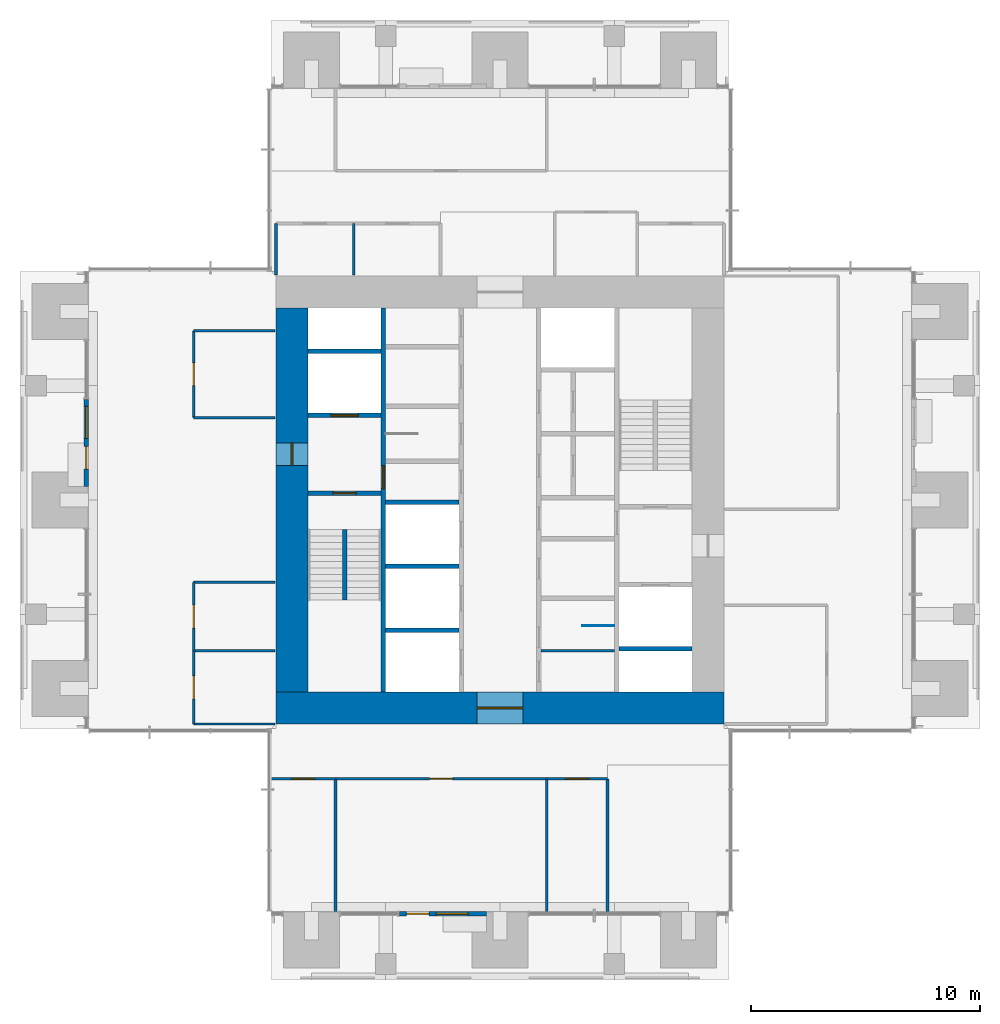
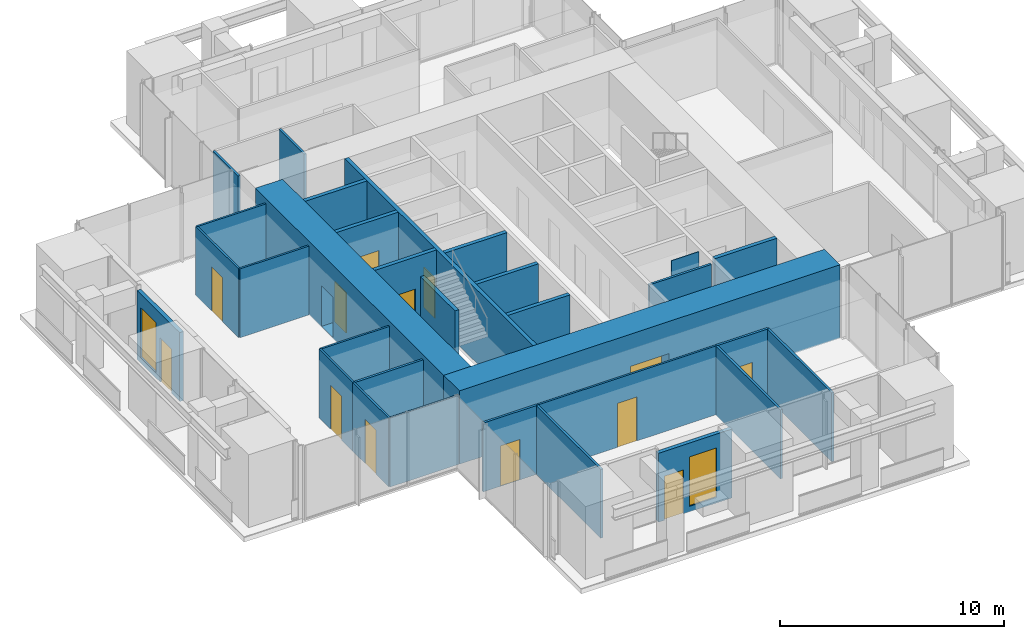
# One storey, part 12 of 17: 31 walls, 13 doors, 2 windows, 15 openings.
"""IFC4 building model written with IfcOpenShell, lengths in metres."""

from ifc_helpers import new_model, si_unit, direction, frame, frame_2d, origin, place, context, subcontext, project, spatial, rectangle, extrude, material, layer, layer_set, type_object, element, fill, save


model = new_model("IFC4")

# Units and contexts
model_context = context("Model", 3, precision=1e-05, world=origin(), true_north=direction((0.0, 1.0)))
body_context = subcontext(model_context, "Body", "Model", "MODEL_VIEW")
ifc_project = project(units=[si_unit("LENGTHUNIT", "METRE"), si_unit("AREAUNIT", "SQUARE_METRE"), si_unit("VOLUMEUNIT", "CUBIC_METRE"), si_unit("PLANEANGLEUNIT", "RADIAN"), si_unit("MASSUNIT", "GRAM", prefix="KILO")], contexts=[model_context])

# Site, building, storey
site_placement = place(None, origin())
site = spatial("IfcSite", under=ifc_project, at=site_placement, CompositionType="ELEMENT")
building_placement = place(site_placement, origin())
building = spatial("IfcBuilding", under=site, at=building_placement, Name="Svetlomir Tower", CompositionType="ELEMENT")
storey_placement = place(building_placement, frame((0.0, 0.0, 222.5)))
storey = spatial("IfcBuildingStorey", under=building, at=storey_placement, Name="L53", CompositionType="ELEMENT", Elevation=222.5)

# Wall, openings, door, window
ifc_material_1 = material(Name="Bronze anodised aluminium glazed screen", Category="aluminium")
ifc_layer_1 = layer(ifc_material_1, 0.199951171875)
ifc_layer_set_1 = layer_set([ifc_layer_1], Name="Bronze anodised aluminium glazed screen")
wall_type_1 = type_object("IfcWallType", Name="BALCONY SCREEN WALL 200", PredefinedType="USERDEFINED", material=ifc_layer_set_1)
wall_1_placement = place(storey_placement, frame((16.60009765625, 2.89990234375, 0.0), z_axis=(0.0, 0.0, 1.0), x_axis=(1.0, 0.0, 0.0)))
wall_1 = element("IfcWall", 1, at=wall_1_placement, inside=storey, type_object=wall_type_1, Name="Balcony screen S", ObjectType="GLAZED SCREEN", PredefinedType="USERDEFINED", context=body_context, shape_type="SweptSolid", body=[
    extrude(rectangle(XDim=3.7998046875, YDim=0.199951171875, at=frame_2d((1.89990234375, 0.0))), origin(), (0.0, 0.0, 1.0), 3.75),
])
opening_1_placement = place(wall_1_placement, frame((0.300048828125, 0.0, 0.0)))
opening_1 = element("IfcOpeningElement", 2, at=opening_1_placement, cuts=wall_1, Name="Opening BD", PredefinedType="OPENING", context=body_context, shape_type="SweptSolid", body=[
    extrude(rectangle(XDim=1.0, YDim=2.39990234375, at=frame_2d((0.5, 1.199951171875))), frame((0.0, 0.10986328125, 0.0), z_axis=(0.0, -1.0, 0.0), x_axis=(1.0, 0.0, 0.0)), (0.0, 0.0, 1.0), 0.219970703125),
])
opening_2_placement = place(wall_1_placement, frame((1.60009765625, 0.0, 0.300048828125)))
opening_2 = element("IfcOpeningElement", 3, at=opening_2_placement, cuts=wall_1, Name="Opening WS2", PredefinedType="OPENING", context=body_context, shape_type="SweptSolid", body=[
    extrude(rectangle(XDim=1.39990234375, YDim=2.699951171875, at=frame_2d((0.699951171875, 1.35009765625))), frame((0.0, 0.10986328125, 0.0), z_axis=(0.0, -1.0, 0.0), x_axis=(1.0, 0.0, 0.0)), (0.0, 0.0, 1.0), 0.219970703125),
])
ifc_material_2 = material(Name="Bronze anodised aluminium glazed door", Category="aluminium")
door_type_1 = type_object("IfcDoorType", Name="BALCONY DOOR BD 1000x2400", OperationType="SINGLE_SWING_LEFT", PredefinedType="DOOR", material=ifc_material_2)
door_1_placement = place(opening_1_placement, origin())
door_1 = element("IfcDoor", 4, at=door_1_placement, inside=storey, type_object=door_type_1, Name="Balcony screen S door", OperationType="SINGLE_SWING_LEFT", OverallHeight=2.39990234375, OverallWidth=1.0, PredefinedType="DOOR", context=body_context, shape_type="SweptSolid", body=[
    extrude(rectangle(XDim=1.0, YDim=2.39990234375, at=frame_2d((0.5, 1.199951171875))), frame((0.0, 0.02490234375, 0.0), z_axis=(0.0, -1.0, 0.0), x_axis=(1.0, 0.0, 0.0)), (0.0, 0.0, 1.0), 0.050048828125),
])
fill(opening_1, door_1)
ifc_material_3 = material(Name="Bronze anodised aluminium window", Category="aluminium")
window_type = type_object("IfcWindowType", Name="SCREEN WINDOW WS2 1400x2700", PartitioningType="SINGLE_PANEL", PredefinedType="WINDOW", material=ifc_material_3)
window_1_placement = place(opening_2_placement, origin())
window_1 = element("IfcWindow", 5, at=window_1_placement, inside=storey, type_object=window_type, Name="Balcony screen S window 1", OverallHeight=2.699951171875, OverallWidth=1.39990234375, PartitioningType="SINGLE_PANEL", PredefinedType="WINDOW", context=body_context, shape_type="SweptSolid", body=[
    extrude(rectangle(XDim=1.39990234375, YDim=2.699951171875, at=frame_2d((0.699951171875, 1.35009765625))), frame((0.0, 0.030029296875, 0.0), z_axis=(0.0, -1.0, 0.0), x_axis=(1.0, 0.0, 0.0)), (0.0, 0.0, 1.0), 0.06005859375),
])
fill(opening_2, window_1)

wall_2_placement = place(storey_placement, frame((2.89990234375, 25.39990234375, 0.0), z_axis=(0.0, 0.0, 1.0), x_axis=(0.0, -1.0, 0.0)))
wall_2 = element("IfcWall", 6, at=wall_2_placement, inside=storey, type_object=wall_type_1, Name="Balcony screen W", ObjectType="GLAZED SCREEN", PredefinedType="USERDEFINED", context=body_context, shape_type="SweptSolid", body=[
    extrude(rectangle(XDim=3.7998046875, YDim=0.199951171875, at=frame_2d((1.89990234375, 0.0))), origin(), (0.0, 0.0, 1.0), 3.75),
])
opening_3_placement = place(wall_2_placement, frame((2.050048828125, 0.0, 0.0)))
opening_3 = element("IfcOpeningElement", 7, at=opening_3_placement, cuts=wall_2, Name="Opening BD", PredefinedType="OPENING", context=body_context, shape_type="SweptSolid", body=[
    extrude(rectangle(XDim=1.0, YDim=2.39990234375, at=frame_2d((0.5, 1.199951171875))), frame((0.0, 0.10986328125, 0.0), z_axis=(0.0, -1.0, 0.0), x_axis=(1.0, 0.0, 0.0)), (0.0, 0.0, 1.0), 0.219970703125),
])
opening_4_placement = place(wall_2_placement, frame((0.300048828125, 0.0, 0.300048828125)))
opening_4 = element("IfcOpeningElement", 8, at=opening_4_placement, cuts=wall_2, Name="Opening WS2", PredefinedType="OPENING", context=body_context, shape_type="SweptSolid", body=[
    extrude(rectangle(XDim=1.39990234375, YDim=2.699951171875, at=frame_2d((0.699951171875, 1.35009765625))), frame((0.0, 0.10986328125, 0.0), z_axis=(0.0, -1.0, 0.0), x_axis=(1.0, 0.0, 0.0)), (0.0, 0.0, 1.0), 0.219970703125),
])
door_2_placement = place(opening_3_placement, origin())
door_2 = element("IfcDoor", 9, at=door_2_placement, inside=storey, type_object=door_type_1, Name="Balcony screen W door", OperationType="SINGLE_SWING_LEFT", OverallHeight=2.39990234375, OverallWidth=1.0, PredefinedType="DOOR", context=body_context, shape_type="SweptSolid", body=[
    extrude(rectangle(XDim=1.0, YDim=2.39990234375, at=frame_2d((0.5, 1.199951171875))), frame((0.0, 0.02490234375, 0.0), z_axis=(0.0, -1.0, 0.0), x_axis=(1.0, 0.0, 0.0)), (0.0, 0.0, 1.0), 0.050048828125),
])
fill(opening_3, door_2)
window_2_placement = place(opening_4_placement, origin())
window_2 = element("IfcWindow", 10, at=window_2_placement, inside=storey, type_object=window_type, Name="Balcony screen W window 1", OverallHeight=2.699951171875, OverallWidth=1.39990234375, PartitioningType="SINGLE_PANEL", PredefinedType="WINDOW", context=body_context, shape_type="SweptSolid", body=[
    extrude(rectangle(XDim=1.39990234375, YDim=2.699951171875, at=frame_2d((0.699951171875, 1.35009765625))), frame((0.0, 0.030029296875, 0.0), z_axis=(0.0, -1.0, 0.0), x_axis=(1.0, 0.0, 0.0)), (0.0, 0.0, 1.0), 0.06005859375),
])
fill(opening_4, window_2)

# Wall, opening, door
ifc_material_4 = material(Name="Concrete C60/75", Category="concrete")
ifc_layer_2 = layer(ifc_material_4, 0.199951171875)
ifc_layer_set_2 = layer_set([ifc_layer_2], Name="Concrete C60/75")
wall_type_2 = type_object("IfcWallType", Name="CORE INNER WALL 200", PredefinedType="SHEAR", material=ifc_layer_set_2)
wall_3_placement = place(storey_placement, frame((15.89990234375, 12.60009765625, -0.050048828125), z_axis=(0.0, 0.0, 1.0), x_axis=(0.0, 1.0, 0.0)))
wall_3 = element("IfcWall", 11, at=wall_3_placement, inside=storey, type_object=wall_type_2, Name="Core inner wall 15.9 L53", PredefinedType="SHEAR", context=body_context, shape_type="SweptSolid", body=[
    extrude(rectangle(XDim=16.7998046875, YDim=0.199951171875, at=frame_2d((8.39990234375, 0.0))), origin(), (0.0, 0.0, 1.0), 4.0),
])
opening_5_placement = place(wall_3_placement, frame((8.89990234375, 0.0, 0.050048828125)))
opening_5 = element("IfcOpeningElement", 12, at=opening_5_placement, cuts=wall_3, Name="Opening DF", PredefinedType="OPENING", context=body_context, shape_type="SweptSolid", body=[
    extrude(rectangle(XDim=1.0, YDim=2.199951171875, at=frame_2d((0.5, 1.10009765625))), frame((0.0, 0.10986328125, 0.0), z_axis=(0.0, -1.0, 0.0), x_axis=(1.0, 0.0, 0.0)), (0.0, 0.0, 1.0), 0.219970703125),
])
ifc_material_5 = material(Name="Steel fire door", Category="steel")
door_type_2 = type_object("IfcDoorType", Name="DOOR DF 1000x2200", OperationType="SINGLE_SWING_LEFT", PredefinedType="DOOR", material=ifc_material_5)
door_3_placement = place(opening_5_placement, origin())
door_3 = element("IfcDoor", 13, at=door_3_placement, inside=storey, type_object=door_type_2, Name="Core corridor west door L53", OperationType="SINGLE_SWING_LEFT", OverallHeight=2.199951171875, OverallWidth=1.0, PredefinedType="DOOR", context=body_context, shape_type="SweptSolid", body=[
    extrude(rectangle(XDim=1.0, YDim=2.199951171875, at=frame_2d((0.5, 1.10009765625))), frame((0.0, 0.02490234375, 0.0), z_axis=(0.0, -1.0, 0.0), x_axis=(1.0, 0.0, 0.0)), (0.0, 0.0, 1.0), 0.050048828125),
])
fill(opening_5, door_3)

wall_4_placement = place(storey_placement, frame((12.60009765625, 21.300048828125, -0.050048828125), z_axis=(0.0, 0.0, 1.0), x_axis=(1.0, 0.0, 0.0)))
wall_4 = element("IfcWall", 14, at=wall_4_placement, inside=storey, type_object=wall_type_2, Name="Core inner wall 12.6-15.8/21.3 L53", PredefinedType="SHEAR", context=body_context, shape_type="SweptSolid", body=[
    extrude(rectangle(XDim=3.199951171875, YDim=0.199951171875, at=frame_2d((1.60009765625, 0.0))), origin(), (0.0, 0.0, 1.0), 4.0),
])
opening_6_placement = place(wall_4_placement, frame((1.10009765625, 0.0, 0.050048828125)))
opening_6 = element("IfcOpeningElement", 15, at=opening_6_placement, cuts=wall_4, Name="Opening DF", PredefinedType="OPENING", context=body_context, shape_type="SweptSolid", body=[
    extrude(rectangle(XDim=1.0, YDim=2.199951171875, at=frame_2d((0.5, 1.10009765625))), frame((0.0, 0.10986328125, 0.0), z_axis=(0.0, -1.0, 0.0), x_axis=(1.0, 0.0, 0.0)), (0.0, 0.0, 1.0), 0.219970703125),
])
door_4_placement = place(opening_6_placement, origin())
door_4 = element("IfcDoor", 16, at=door_4_placement, inside=storey, type_object=door_type_2, Name="Stair S1 door L53", OperationType="SINGLE_SWING_RIGHT", OverallHeight=2.199951171875, OverallWidth=1.0, PredefinedType="DOOR", context=body_context, shape_type="SweptSolid", body=[
    extrude(rectangle(XDim=1.0, YDim=2.199951171875, at=frame_2d((0.5, 1.10009765625))), frame((0.0, 0.02490234375, 0.0), z_axis=(0.0, -1.0, 0.0), x_axis=(1.0, 0.0, 0.0)), (0.0, 0.0, 1.0), 0.050048828125),
])
fill(opening_6, door_4)

wall_5_placement = place(storey_placement, frame((12.60009765625, 24.699951171875, -0.050048828125), z_axis=(0.0, 0.0, 1.0), x_axis=(1.0, 0.0, 0.0)))
wall_5 = element("IfcWall", 17, at=wall_5_placement, inside=storey, type_object=wall_type_2, Name="Core inner wall 12.6-15.8/24.7 L53", PredefinedType="SHEAR", context=body_context, shape_type="SweptSolid", body=[
    extrude(rectangle(XDim=3.199951171875, YDim=0.199951171875, at=frame_2d((1.60009765625, 0.0))), origin(), (0.0, 0.0, 1.0), 4.0),
])
opening_7_placement = place(wall_5_placement, frame((1.0, 0.0, 0.050048828125)))
opening_7 = element("IfcOpeningElement", 18, at=opening_7_placement, cuts=wall_5, Name="Opening LD3", PredefinedType="OPENING", context=body_context, shape_type="SweptSolid", body=[
    extrude(rectangle(XDim=1.199951171875, YDim=2.199951171875, at=frame_2d((0.60009765625, 1.10009765625))), frame((0.0, 0.10986328125, 0.0), z_axis=(0.0, -1.0, 0.0), x_axis=(1.0, 0.0, 0.0)), (0.0, 0.0, 1.0), 0.219970703125),
])
ifc_material_6 = material(Name="Stainless steel fire-rated landing door", Category="steel")
door_type_3 = type_object("IfcDoorType", Name="FIREFIGHTING LIFT LANDING DOOR LD3 1200x2200", OperationType="DOUBLE_DOOR_SLIDING", PredefinedType="DOOR", material=ifc_material_6)
door_5_placement = place(opening_7_placement, origin())
door_5 = element("IfcDoor", 19, at=door_5_placement, inside=storey, type_object=door_type_3, Name="Landing door lift FL1 L53", OperationType="DOUBLE_DOOR_SLIDING", OverallHeight=2.199951171875, OverallWidth=1.199951171875, PredefinedType="DOOR", context=body_context, shape_type="SweptSolid", body=[
    extrude(rectangle(XDim=1.199951171875, YDim=2.199951171875, at=frame_2d((0.60009765625, 1.10009765625))), frame((0.0, 0.02490234375, 0.0), z_axis=(0.0, -1.0, 0.0), x_axis=(1.0, 0.0, 0.0)), (0.0, 0.0, 1.0), 0.050048828125),
])
fill(opening_7, door_5)

# Walls
for number, where, z_axis, x_axis, name in (
    (20, (12.60009765625, 27.5, -0.050048828125), (0.0, 0.0, 1.0), (1.0, 0.0, 0.0), "Core inner wall 12.6-15.8/27.5 L53"),
    (21, (16.0, 15.300048828125, -0.050048828125), (0.0, 0.0, 1.0), (1.0, 0.0, 0.0), "Core inner wall 16-19.2/15.3 L53"),
    (22, (16.0, 18.10009765625, -0.050048828125), (0.0, 0.0, 1.0), (1.0, 0.0, 0.0), "Core inner wall 16-19.2/18.1 L53"),
    (23, (16.0, 20.89990234375, -0.050048828125), (0.0, 0.0, 1.0), (1.0, 0.0, 0.0), "Core inner wall 16-19.2/20.9 L53"),
    (24, (26.199951171875, 14.5, -0.050048828125), (0.0, 0.0, 1.0), (1.0, 0.0, 0.0), "Core inner wall 26.2-29.4/14.5 L53"),
):
    element("IfcWall", number, at=place(storey_placement, frame(where, z_axis=z_axis, x_axis=x_axis)), inside=storey, type_object=wall_type_2, Name=name, PredefinedType="SHEAR", context=body_context, shape_type="SweptSolid", body=[
        extrude(rectangle(XDim=3.199951171875, YDim=0.199951171875, at=frame_2d((1.60009765625, 0.0))), origin(), (0.0, 0.0, 1.0), 4.0),
    ])

# Wall, opening, door
ifc_material_7 = material(Name="Concrete C60/75", Category="concrete")
ifc_layer_3 = layer(ifc_material_7, 1.39990234375)
ifc_layer_set_3 = layer_set([ifc_layer_3], Name="Concrete C60/75")
wall_type_3 = type_object("IfcWallType", Name="CORE WALL 1400", PredefinedType="SHEAR", material=ifc_layer_set_3)
wall_6_placement = place(storey_placement, frame((11.199951171875, 11.89990234375, -0.050048828125), z_axis=(0.0, 0.0, 1.0), x_axis=(1.0, 0.0, 0.0)))
wall_6 = element("IfcWall", 25, at=wall_6_placement, inside=storey, type_object=wall_type_3, Name="Core wall south L53", PredefinedType="SHEAR", context=body_context, shape_type="SweptSolid", body=[
    extrude(rectangle(XDim=19.60009765625, YDim=1.39990234375, at=frame_2d((9.800048828125, 0.0))), origin(), (0.0, 0.0, 1.0), 4.0),
])
opening_8_placement = place(wall_6_placement, frame((8.800048828125, 0.0, 0.050048828125)))
opening_8 = element("IfcOpeningElement", 26, at=opening_8_placement, cuts=wall_6, Name="Opening DL", PredefinedType="OPENING", context=body_context, shape_type="SweptSolid", body=[
    extrude(rectangle(XDim=2.0, YDim=2.199951171875, at=frame_2d((1.0, 1.10009765625))), frame((0.0, 0.7099609375, 0.0), z_axis=(0.0, -1.0, 0.0), x_axis=(1.0, 0.0, 0.0)), (0.0, 0.0, 1.0), 1.419921875),
])
ifc_material_8 = material(Name="Steel fire door", Category="steel")
door_type_4 = type_object("IfcDoorType", Name="DOOR DL 2000x2200", OperationType="DOUBLE_DOOR_SINGLE_SWING", PredefinedType="DOOR", material=ifc_material_8)
door_6_placement = place(opening_8_placement, origin())
door_6 = element("IfcDoor", 27, at=door_6_placement, inside=storey, type_object=door_type_4, Name="Lift lobby south door L53", OperationType="DOUBLE_DOOR_SINGLE_SWING", OverallHeight=2.199951171875, OverallWidth=2.0, PredefinedType="DOOR", context=body_context, shape_type="SweptSolid", body=[
    extrude(rectangle(XDim=2.0, YDim=2.199951171875, at=frame_2d((1.0, 1.10009765625))), frame((0.0, 0.02490234375, 0.0), z_axis=(0.0, -1.0, 0.0), x_axis=(1.0, 0.0, 0.0)), (0.0, 0.0, 1.0), 0.050048828125),
])
fill(opening_8, door_6)

wall_7_placement = place(storey_placement, frame((11.89990234375, 12.60009765625, -0.050048828125), z_axis=(0.0, 0.0, 1.0), x_axis=(0.0, 1.0, 0.0)))
wall_7 = element("IfcWall", 28, at=wall_7_placement, inside=storey, type_object=wall_type_3, Name="Core wall west L53", PredefinedType="SHEAR", context=body_context, shape_type="SweptSolid", body=[
    extrude(rectangle(XDim=16.7998046875, YDim=1.39990234375, at=frame_2d((8.39990234375, 0.0))), origin(), (0.0, 0.0, 1.0), 4.0),
])
opening_9_placement = place(wall_7_placement, frame((9.89990234375, 0.0, 0.050048828125)))
opening_9 = element("IfcOpeningElement", 29, at=opening_9_placement, cuts=wall_7, Name="Opening DF", PredefinedType="OPENING", context=body_context, shape_type="SweptSolid", body=[
    extrude(rectangle(XDim=1.0, YDim=2.199951171875, at=frame_2d((0.5, 1.10009765625))), frame((0.0, 0.7099609375, 0.0), z_axis=(0.0, -1.0, 0.0), x_axis=(1.0, 0.0, 0.0)), (0.0, 0.0, 1.0), 1.419921875),
])
door_7_placement = place(opening_9_placement, origin())
door_7 = element("IfcDoor", 30, at=door_7_placement, inside=storey, type_object=door_type_2, Name="Firefighting lobby west door L53", OperationType="SINGLE_SWING_RIGHT", OverallHeight=2.199951171875, OverallWidth=1.0, PredefinedType="DOOR", context=body_context, shape_type="SweptSolid", body=[
    extrude(rectangle(XDim=1.0, YDim=2.199951171875, at=frame_2d((0.5, 1.10009765625))), frame((0.0, 0.02490234375, 0.0), z_axis=(0.0, -1.0, 0.0), x_axis=(1.0, 0.0, 0.0)), (0.0, 0.0, 1.0), 0.050048828125),
])
fill(opening_9, door_7)

ifc_material_9 = material(Name="Framed laminated glass partition", Category="glass")
ifc_layer_4 = layer(ifc_material_9, 0.10009765625)
ifc_layer_set_4 = layer_set([ifc_layer_4], Name="Framed laminated glass partition")
wall_type_4 = type_object("IfcWallType", Name="GLAZED PARTITION 100", PredefinedType="PARTITIONING", material=ifc_layer_set_4)
wall_8_placement = place(storey_placement, frame((7.60009765625, 11.199951171875, 0.0), z_axis=(0.0, 0.0, 1.0), x_axis=(0.0, 1.0, 0.0)))
wall_8 = element("IfcWall", 31, at=wall_8_placement, inside=storey, type_object=wall_type_4, Name="Glazed partition L53", PredefinedType="PARTITIONING", context=body_context, shape_type="SweptSolid", body=[
    extrude(rectangle(XDim=3.199951171875, YDim=0.10009765625, at=frame_2d((1.60009765625, 0.0))), origin(), (0.0, 0.0, 1.0), 3.75),
])
opening_10_placement = place(wall_8_placement, frame((1.10009765625, 0.0, 0.0)))
opening_10 = element("IfcOpeningElement", 32, at=opening_10_placement, cuts=wall_8, Name="Opening DG", PredefinedType="OPENING", context=body_context, shape_type="SweptSolid", body=[
    extrude(rectangle(XDim=1.0, YDim=2.39990234375, at=frame_2d((0.5, 1.199951171875))), frame((0.0, 0.06005859375, 0.0), z_axis=(0.0, -1.0, 0.0), x_axis=(1.0, 0.0, 0.0)), (0.0, 0.0, 1.0), 0.1201171875),
])
ifc_material_10 = material(Name="Framed laminated glass door", Category="glass")
door_type_5 = type_object("IfcDoorType", Name="GLAZED DOOR DG 1000x2400", OperationType="SINGLE_SWING_LEFT", PredefinedType="DOOR", material=ifc_material_10)
door_8_placement = place(opening_10_placement, origin())
door_8 = element("IfcDoor", 33, at=door_8_placement, inside=storey, type_object=door_type_5, Name="Meeting room, 4 seats door L53", OperationType="SINGLE_SWING_LEFT", OverallHeight=2.39990234375, OverallWidth=1.0, PredefinedType="DOOR", context=body_context, shape_type="SweptSolid", body=[
    extrude(rectangle(XDim=1.0, YDim=2.39990234375, at=frame_2d((0.5, 1.199951171875))), frame((0.0, 0.02490234375, 0.0), z_axis=(0.0, -1.0, 0.0), x_axis=(1.0, 0.0, 0.0)), (0.0, 0.0, 1.0), 0.050048828125),
])
fill(opening_10, door_8)

# Wall
wall_9_placement = place(storey_placement, frame((7.60009765625, 11.199951171875, 0.0), z_axis=(0.0, 0.0, 1.0), x_axis=(1.0, 0.0, 0.0)))
element("IfcWall", 34, at=wall_9_placement, inside=storey, type_object=wall_type_4, Name="Glazed partition L53", PredefinedType="PARTITIONING", context=body_context, shape_type="SweptSolid", body=[
    extrude(rectangle(XDim=3.5498046875, YDim=0.10009765625, at=frame_2d((1.77490234375, 0.0))), origin(), (0.0, 0.0, 1.0), 3.75),
])

# Wall, opening, door
wall_10_placement = place(storey_placement, frame((7.60009765625, 14.39990234375, 0.0), z_axis=(0.0, 0.0, 1.0), x_axis=(0.0, 1.0, 0.0)))
wall_10 = element("IfcWall", 35, at=wall_10_placement, inside=storey, type_object=wall_type_4, Name="Glazed partition L53", PredefinedType="PARTITIONING", context=body_context, shape_type="SweptSolid", body=[
    extrude(rectangle(XDim=3.0, YDim=0.10009765625, at=frame_2d((1.5, 0.0))), origin(), (0.0, 0.0, 1.0), 3.75),
])
opening_11_placement = place(wall_10_placement, frame((1.0, 0.0, 0.0)))
opening_11 = element("IfcOpeningElement", 36, at=opening_11_placement, cuts=wall_10, Name="Opening DG", PredefinedType="OPENING", context=body_context, shape_type="SweptSolid", body=[
    extrude(rectangle(XDim=1.0, YDim=2.39990234375, at=frame_2d((0.5, 1.199951171875))), frame((0.0, 0.06005859375, 0.0), z_axis=(0.0, -1.0, 0.0), x_axis=(1.0, 0.0, 0.0)), (0.0, 0.0, 1.0), 0.1201171875),
])
door_9_placement = place(opening_11_placement, origin())
door_9 = element("IfcDoor", 37, at=door_9_placement, inside=storey, type_object=door_type_5, Name="Focus room door L53", OperationType="SINGLE_SWING_RIGHT", OverallHeight=2.39990234375, OverallWidth=1.0, PredefinedType="DOOR", context=body_context, shape_type="SweptSolid", body=[
    extrude(rectangle(XDim=1.0, YDim=2.39990234375, at=frame_2d((0.5, 1.199951171875))), frame((0.0, 0.02490234375, 0.0), z_axis=(0.0, -1.0, 0.0), x_axis=(1.0, 0.0, 0.0)), (0.0, 0.0, 1.0), 0.050048828125),
])
fill(opening_11, door_9)

# Wall
wall_11_placement = place(storey_placement, frame((7.60009765625, 17.39990234375, 0.0), z_axis=(0.0, 0.0, 1.0), x_axis=(1.0, 0.0, 0.0)))
element("IfcWall", 38, at=wall_11_placement, inside=storey, type_object=wall_type_4, Name="Glazed partition L53", PredefinedType="PARTITIONING", context=body_context, shape_type="SweptSolid", body=[
    extrude(rectangle(XDim=3.5498046875, YDim=0.10009765625, at=frame_2d((1.77490234375, 0.0))), origin(), (0.0, 0.0, 1.0), 3.75),
])

# Wall, opening, door
wall_12_placement = place(storey_placement, frame((7.60009765625, 24.60009765625, 0.0), z_axis=(0.0, 0.0, 1.0), x_axis=(0.0, 1.0, 0.0)))
wall_12 = element("IfcWall", 39, at=wall_12_placement, inside=storey, type_object=wall_type_4, Name="Glazed partition L53", PredefinedType="PARTITIONING", context=body_context, shape_type="SweptSolid", body=[
    extrude(rectangle(XDim=3.7998046875, YDim=0.10009765625, at=frame_2d((1.89990234375, 0.0))), origin(), (0.0, 0.0, 1.0), 3.75),
])
opening_12_placement = place(wall_12_placement, frame((1.39990234375, 0.0, 0.0)))
opening_12 = element("IfcOpeningElement", 40, at=opening_12_placement, cuts=wall_12, Name="Opening DG", PredefinedType="OPENING", context=body_context, shape_type="SweptSolid", body=[
    extrude(rectangle(XDim=1.0, YDim=2.39990234375, at=frame_2d((0.5, 1.199951171875))), frame((0.0, 0.06005859375, 0.0), z_axis=(0.0, -1.0, 0.0), x_axis=(1.0, 0.0, 0.0)), (0.0, 0.0, 1.0), 0.1201171875),
])
door_10_placement = place(opening_12_placement, origin())
door_10 = element("IfcDoor", 41, at=door_10_placement, inside=storey, type_object=door_type_5, Name="Grant applicants' interview room door L53", OperationType="SINGLE_SWING_LEFT", OverallHeight=2.39990234375, OverallWidth=1.0, PredefinedType="DOOR", context=body_context, shape_type="SweptSolid", body=[
    extrude(rectangle(XDim=1.0, YDim=2.39990234375, at=frame_2d((0.5, 1.199951171875))), frame((0.0, 0.02490234375, 0.0), z_axis=(0.0, -1.0, 0.0), x_axis=(1.0, 0.0, 0.0)), (0.0, 0.0, 1.0), 0.050048828125),
])
fill(opening_12, door_10)

# Walls
for number, where, z_axis, x_axis, name in (
    (42, (7.60009765625, 24.60009765625, 0.0), (0.0, 0.0, 1.0), (1.0, 0.0, 0.0), "Glazed partition L53"),
    (43, (7.60009765625, 28.39990234375, 0.0), (0.0, 0.0, 1.0), (1.0, 0.0, 0.0), "Glazed partition L53"),
):
    element("IfcWall", number, at=place(storey_placement, frame(where, z_axis=z_axis, x_axis=x_axis)), inside=storey, type_object=wall_type_4, Name=name, PredefinedType="PARTITIONING", context=body_context, shape_type="SweptSolid", body=[
        extrude(rectangle(XDim=3.5498046875, YDim=0.10009765625, at=frame_2d((1.77490234375, 0.0))), origin(), (0.0, 0.0, 1.0), 3.75),
    ])

# Wall, opening, door
wall_13_placement = place(storey_placement, frame((13.800048828125, 8.800048828125, 0.0), z_axis=(0.0, 0.0, 1.0), x_axis=(1.0, 0.0, 0.0)))
wall_13 = element("IfcWall", 44, at=wall_13_placement, inside=storey, type_object=wall_type_4, Name="Glazed partition L53", PredefinedType="PARTITIONING", context=body_context, shape_type="SweptSolid", body=[
    extrude(rectangle(XDim=9.25, YDim=0.10009765625, at=frame_2d((4.625, 0.0))), origin(), (0.0, 0.0, 1.0), 3.75),
])
opening_13_placement = place(wall_13_placement, frame((4.125, 0.0, 0.0)))
opening_13 = element("IfcOpeningElement", 45, at=opening_13_placement, cuts=wall_13, Name="Opening DG", PredefinedType="OPENING", context=body_context, shape_type="SweptSolid", body=[
    extrude(rectangle(XDim=1.0, YDim=2.39990234375, at=frame_2d((0.5, 1.199951171875))), frame((0.0, 0.06005859375, 0.0), z_axis=(0.0, -1.0, 0.0), x_axis=(1.0, 0.0, 0.0)), (0.0, 0.0, 1.0), 0.1201171875),
])
door_11_placement = place(opening_13_placement, origin())
door_11 = element("IfcDoor", 46, at=door_11_placement, inside=storey, type_object=door_type_5, Name="Foundation lounge and kitchenette door L53", OperationType="SINGLE_SWING_RIGHT", OverallHeight=2.39990234375, OverallWidth=1.0, PredefinedType="DOOR", context=body_context, shape_type="SweptSolid", body=[
    extrude(rectangle(XDim=1.0, YDim=2.39990234375, at=frame_2d((0.5, 1.199951171875))), frame((0.0, 0.02490234375, 0.0), z_axis=(0.0, -1.0, 0.0), x_axis=(1.0, 0.0, 0.0)), (0.0, 0.0, 1.0), 0.050048828125),
])
fill(opening_13, door_11)

# Walls
ifc_material_11 = material(Name="Gypsum board on steel studs", Category="steel")
ifc_layer_5 = layer(ifc_material_11, 0.1201171875)
ifc_layer_set_5 = layer_set([ifc_layer_5], Name="Gypsum board on steel studs")
wall_type_5 = type_object("IfcWallType", Name="PARTITION 120", PredefinedType="PARTITIONING", material=ifc_layer_set_5)
wall_14_placement = place(storey_placement, frame((22.800048828125, 14.39990234375, 0.0), z_axis=(0.0, 0.0, 1.0), x_axis=(1.0, 0.0, 0.0)))
element("IfcWall", 47, at=wall_14_placement, inside=storey, type_object=wall_type_5, Name="Floor store partition L53", PredefinedType="PARTITIONING", context=body_context, shape_type="SweptSolid", body=[
    extrude(rectangle(XDim=3.199951171875, YDim=0.1201171875, at=frame_2d((1.60009765625, 0.0))), origin(), (0.0, 0.0, 1.0), 3.75),
])
wall_15_placement = place(storey_placement, frame((7.60009765625, 14.39990234375, 0.0), z_axis=(0.0, 0.0, 1.0), x_axis=(1.0, 0.0, 0.0)))
element("IfcWall", 48, at=wall_15_placement, inside=storey, type_object=wall_type_5, Name="Partition L53", PredefinedType="PARTITIONING", context=body_context, shape_type="SweptSolid", body=[
    extrude(rectangle(XDim=3.5498046875, YDim=0.1201171875, at=frame_2d((1.77490234375, 0.0))), origin(), (0.0, 0.0, 1.0), 3.75),
])

# Wall, opening, door
wall_16_placement = place(storey_placement, frame((11.0, 8.800048828125, 0.0), z_axis=(0.0, 0.0, 1.0), x_axis=(1.0, 0.0, 0.0)))
wall_16 = element("IfcWall", 49, at=wall_16_placement, inside=storey, type_object=wall_type_5, Name="Partition L53", PredefinedType="PARTITIONING", context=body_context, shape_type="SweptSolid", body=[
    extrude(rectangle(XDim=2.800048828125, YDim=0.1201171875, at=frame_2d((1.39990234375, 0.0))), origin(), (0.0, 0.0, 1.0), 3.75),
])
opening_14_placement = place(wall_16_placement, frame((0.89990234375, 0.0, 0.0)))
opening_14 = element("IfcOpeningElement", 50, at=opening_14_placement, cuts=wall_16, Name="Opening DR", PredefinedType="OPENING", context=body_context, shape_type="SweptSolid", body=[
    extrude(rectangle(XDim=1.0, YDim=2.199951171875, at=frame_2d((0.5, 1.10009765625))), frame((0.0, 0.070068359375, 0.0), z_axis=(0.0, -1.0, 0.0), x_axis=(1.0, 0.0, 0.0)), (0.0, 0.0, 1.0), 0.14013671875),
])
ifc_material_12 = material(Name="Timber door, glazed side light", Category="wood")
door_type_6 = type_object("IfcDoorType", Name="DOOR DR 1000x2200", OperationType="SINGLE_SWING_LEFT", PredefinedType="DOOR", material=ifc_material_12)
door_12_placement = place(opening_14_placement, origin())
door_12 = element("IfcDoor", 51, at=door_12_placement, inside=storey, type_object=door_type_6, Name="Foundation director office door L53", OperationType="SINGLE_SWING_RIGHT", OverallHeight=2.199951171875, OverallWidth=1.0, PredefinedType="DOOR", context=body_context, shape_type="SweptSolid", body=[
    extrude(rectangle(XDim=1.0, YDim=2.199951171875, at=frame_2d((0.5, 1.10009765625))), frame((0.0, 0.02490234375, 0.0), z_axis=(0.0, -1.0, 0.0), x_axis=(1.0, 0.0, 0.0)), (0.0, 0.0, 1.0), 0.050048828125),
])
fill(opening_14, door_12)

# Walls
wall_17_placement = place(storey_placement, frame((11.199951171875, 30.85009765625, 0.0), z_axis=(0.0, 0.0, 1.0), x_axis=(0.0, 1.0, 0.0)))
element("IfcWall", 52, at=wall_17_placement, inside=storey, type_object=wall_type_5, Name="Partition L53", PredefinedType="PARTITIONING", context=body_context, shape_type="SweptSolid", body=[
    extrude(rectangle(XDim=2.25, YDim=0.1201171875, at=frame_2d((1.125, 0.0))), origin(), (0.0, 0.0, 1.0), 3.75),
])
wall_18_placement = place(storey_placement, frame((13.800048828125, 3.0, 0.0), z_axis=(0.0, 0.0, 1.0), x_axis=(0.0, 1.0, 0.0)))
element("IfcWall", 53, at=wall_18_placement, inside=storey, type_object=wall_type_5, Name="Partition L53", PredefinedType="PARTITIONING", context=body_context, shape_type="SweptSolid", body=[
    extrude(rectangle(XDim=5.800048828125, YDim=0.1201171875, at=frame_2d((2.89990234375, 0.0))), origin(), (0.0, 0.0, 1.0), 3.75),
])
wall_19_placement = place(storey_placement, frame((14.60009765625, 30.85009765625, 0.0), z_axis=(0.0, 0.0, 1.0), x_axis=(0.0, 1.0, 0.0)))
element("IfcWall", 54, at=wall_19_placement, inside=storey, type_object=wall_type_5, Name="Partition L53", PredefinedType="PARTITIONING", context=body_context, shape_type="SweptSolid", body=[
    extrude(rectangle(XDim=2.25, YDim=0.1201171875, at=frame_2d((1.125, 0.0))), origin(), (0.0, 0.0, 1.0), 3.75),
])
wall_20_placement = place(storey_placement, frame((23.050048828125, 3.0, 0.0), z_axis=(0.0, 0.0, 1.0), x_axis=(0.0, 1.0, 0.0)))
element("IfcWall", 55, at=wall_20_placement, inside=storey, type_object=wall_type_5, Name="Partition L53", PredefinedType="PARTITIONING", context=body_context, shape_type="SweptSolid", body=[
    extrude(rectangle(XDim=5.800048828125, YDim=0.1201171875, at=frame_2d((2.89990234375, 0.0))), origin(), (0.0, 0.0, 1.0), 3.75),
])

# Wall, opening, door
wall_21_placement = place(storey_placement, frame((23.050048828125, 8.800048828125, 0.0), z_axis=(0.0, 0.0, 1.0), x_axis=(1.0, 0.0, 0.0)))
wall_21 = element("IfcWall", 56, at=wall_21_placement, inside=storey, type_object=wall_type_5, Name="Partition L53", PredefinedType="PARTITIONING", context=body_context, shape_type="SweptSolid", body=[
    extrude(rectangle(XDim=2.64990234375, YDim=0.1201171875, at=frame_2d((1.324951171875, 0.0))), origin(), (0.0, 0.0, 1.0), 3.75),
])
opening_15_placement = place(wall_21_placement, frame((0.824951171875, 0.0, 0.0)))
opening_15 = element("IfcOpeningElement", 57, at=opening_15_placement, cuts=wall_21, Name="Opening DR", PredefinedType="OPENING", context=body_context, shape_type="SweptSolid", body=[
    extrude(rectangle(XDim=1.0, YDim=2.199951171875, at=frame_2d((0.5, 1.10009765625))), frame((0.0, 0.070068359375, 0.0), z_axis=(0.0, -1.0, 0.0), x_axis=(1.0, 0.0, 0.0)), (0.0, 0.0, 1.0), 0.14013671875),
])
door_13_placement = place(opening_15_placement, origin())
door_13 = element("IfcDoor", 58, at=door_13_placement, inside=storey, type_object=door_type_6, Name="Programme officers office door L53", OperationType="SINGLE_SWING_LEFT", OverallHeight=2.199951171875, OverallWidth=1.0, PredefinedType="DOOR", context=body_context, shape_type="SweptSolid", body=[
    extrude(rectangle(XDim=1.0, YDim=2.199951171875, at=frame_2d((0.5, 1.10009765625))), frame((0.0, 0.02490234375, 0.0), z_axis=(0.0, -1.0, 0.0), x_axis=(1.0, 0.0, 0.0)), (0.0, 0.0, 1.0), 0.050048828125),
])
fill(opening_15, door_13)

# Walls
wall_22_placement = place(storey_placement, frame((25.699951171875, 3.0, 0.0), z_axis=(0.0, 0.0, 1.0), x_axis=(0.0, 1.0, 0.0)))
element("IfcWall", 59, at=wall_22_placement, inside=storey, type_object=wall_type_5, Name="Partition L53", PredefinedType="PARTITIONING", context=body_context, shape_type="SweptSolid", body=[
    extrude(rectangle(XDim=5.800048828125, YDim=0.1201171875, at=frame_2d((2.89990234375, 0.0))), origin(), (0.0, 0.0, 1.0), 3.75),
])
ifc_material_13 = material(Name="Concrete C60/75", Category="concrete")
ifc_layer_6 = layer(ifc_material_13, 0.199951171875)
ifc_layer_set_6 = layer_set([ifc_layer_6], Name="Concrete C60/75")
wall_type_6 = type_object("IfcWallType", Name="STAIR SPINE WALL 200", PredefinedType="PARTITIONING", material=ifc_layer_set_6)
wall_23_placement = place(storey_placement, frame((14.199951171875, 16.6201171875, 0.0), z_axis=(0.0, 0.0, 1.0), x_axis=(0.0, 1.0, 0.0)))
element("IfcWall", 60, at=wall_23_placement, inside=storey, type_object=wall_type_6, Name="Stair S1 spine wall L53", PredefinedType="PARTITIONING", context=body_context, shape_type="SweptSolid", body=[
    extrude(rectangle(XDim=3.079833984375, YDim=0.199951171875, at=frame_2d((1.5400390625, 0.0))), origin(), (0.0, 0.0, 1.0), 4.0),
])
ifc_material_14 = material(Name="Compact laminate panel", Category="plastic")
ifc_layer_7 = layer(ifc_material_14, 0.030029296875)
ifc_layer_set_7 = layer_set([ifc_layer_7], Name="Compact laminate panel")
wall_type_7 = type_object("IfcWallType", Name="WC CUBICLE PARTITION 30", PredefinedType="PARTITIONING", material=ifc_layer_set_7)
wall_24_placement = place(storey_placement, frame((24.60009765625, 15.5, 0.0), z_axis=(0.0, 0.0, 1.0), x_axis=(1.0, 0.0, 0.0)))
element("IfcWall", 61, at=wall_24_placement, inside=storey, type_object=wall_type_7, Name="WC cubicle partition L53", PredefinedType="PARTITIONING", context=body_context, shape_type="SweptSolid", body=[
    extrude(rectangle(XDim=1.39990234375, YDim=0.030029296875, at=frame_2d((0.699951171875, 0.0))), origin(), (0.0, 0.0, 1.0), 3.75),
])

save(model, "model.ifc")
